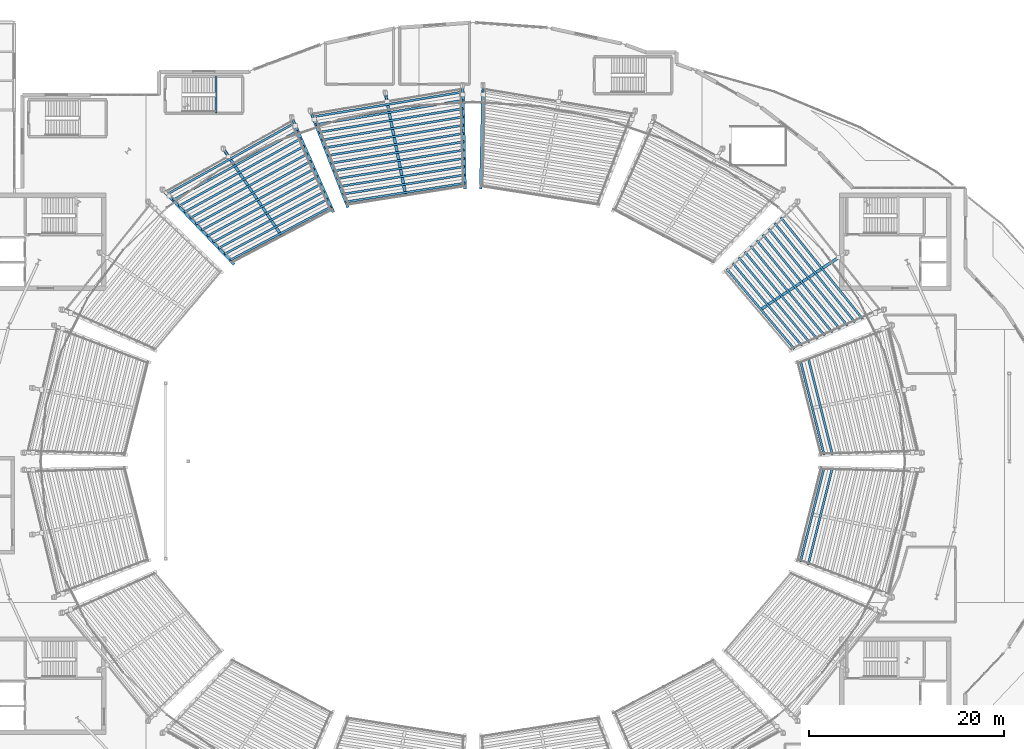
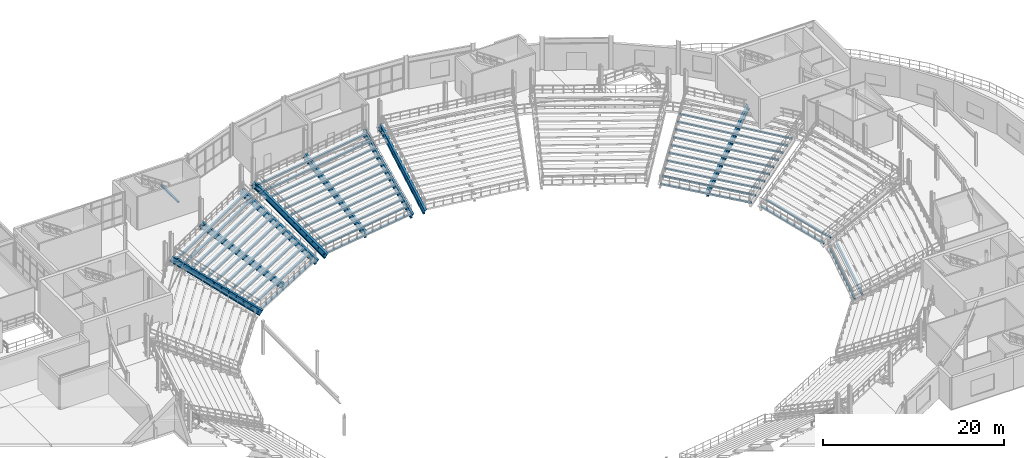
# One storey, part 36 of 81: 53 beams.
"""IFC4 building model written with IfcOpenShell, lengths in metres."""

import ifcopenshell
import ifcopenshell.guid

model = None  # the IFC model being written
_history = None  # IfcOwnerHistory: only IFC2X3 demands one
_inside = {}  # id of a spatial element -> (the spatial element, [elements in it])
_under = {}  # id of a project, library or spatial element -> (it, [spatial elements below it])
_declared = {}  # id of a project -> (the project, [libraries it declares])
_typed = {}  # id of a type object -> (the type object, [elements of that type])
_made_of = {}  # id of a material, layer set ... -> (it, [elements and type objects made of it])


def new_model(schema):
    """Start an empty IFC model of exactly this schema.

    Asked for "IFC4X3", IfcOpenShell would pick the latest addendum, in which some entities
    have other attributes; the version numbers below select the first issue.
    IFC2X3 requires an IfcOwnerHistory on every rooted entity: one is made here for all.
    """
    global model, _history
    if schema == "IFC4X3":
        model = ifcopenshell.file(schema_version=(4, 3, 0, 0))
    else:
        model = ifcopenshell.file(schema=schema)
    _inside.clear()
    _under.clear()
    _declared.clear()
    _typed.clear()
    _made_of.clear()
    _history = None
    if model.schema == "IFC2X3":
        org = make("IfcOrganization", Name="unknown")
        user = make(
            "IfcPersonAndOrganization",
            ThePerson=make("IfcPerson", FamilyName="unknown"),
            TheOrganization=org,
        )
        app = make(
            "IfcApplication",
            ApplicationDeveloper=org,
            Version="unknown",
            ApplicationFullName="unknown",
            ApplicationIdentifier="unknown",
        )
        _history = make(
            "IfcOwnerHistory",
            OwningUser=user,
            OwningApplication=app,
            ChangeAction="ADDED",
            CreationDate=0,
        )
    return model


def make(cls, **values):
    """One entity of the class cls with the attributes given. An attribute that is None is left unset."""
    return model.create_entity(
        cls, **{name: value for name, value in values.items() if value is not None}
    )


def rooted(cls, **values):
    """An entity with a GlobalId (a new one), such as an element, a storey or a relation."""
    return make(cls, GlobalId=ifcopenshell.guid.new(), OwnerHistory=_history, **values)


def si_unit(unit_type, name, prefix=None):
    """IfcSIUnit, for example si_unit("LENGTHUNIT", "METRE", prefix="MILLI")."""
    return make("IfcSIUnit", UnitType=unit_type, Prefix=prefix, Name=name)


def assignment(units):
    """IfcUnitAssignment: the units of a project."""
    return None if units is None else make("IfcUnitAssignment", Units=units)


def point(xyz):
    """IfcCartesianPoint."""
    return None if xyz is None else make("IfcCartesianPoint", Coordinates=xyz)


def direction(xyz):
    """IfcDirection."""
    return None if xyz is None else make("IfcDirection", DirectionRatios=xyz)


def frame(location, z_axis=None, x_axis=None):
    """IfcAxis2Placement3D, a coordinate frame: its origin and axes. An axis left out is left unset."""
    return make(
        "IfcAxis2Placement3D",
        Location=point(location),
        Axis=direction(z_axis),
        RefDirection=direction(x_axis),
    )


def frame_2d(location, x_axis=None):
    """IfcAxis2Placement2D, a coordinate frame in the plane: its origin and x axis."""
    return make(
        "IfcAxis2Placement2D", Location=point(location), RefDirection=direction(x_axis)
    )


def origin():
    """The frame at (0, 0, 0) with its axes left unset."""
    return frame((0.0, 0.0, 0.0))


def origin_2d():
    """The frame at (0, 0) in the plane with its x axis left unset."""
    return frame_2d((0.0, 0.0))


def place(relative_to, where):
    """IfcLocalPlacement: puts the frame where relative to a parent placement (None: the world)."""
    return make(
        "IfcLocalPlacement", PlacementRelTo=relative_to, RelativePlacement=where
    )


def context(
    kind, dimensions, precision=None, world=None, true_north=None, identifier=None
):
    """IfcGeometricRepresentationContext, for example the 3D "Model" context."""
    return make(
        "IfcGeometricRepresentationContext",
        ContextIdentifier=identifier,
        ContextType=kind,
        CoordinateSpaceDimension=dimensions,
        Precision=precision,
        WorldCoordinateSystem=world,
        TrueNorth=true_north,
    )


def subcontext(parent, identifier, kind, view, scale=None):
    """IfcGeometricRepresentationSubContext, for example "Body" below "Model"."""
    return make(
        "IfcGeometricRepresentationSubContext",
        ContextIdentifier=identifier,
        ContextType=kind,
        ParentContext=parent,
        TargetScale=scale,
        TargetView=view,
    )


def project(units=None, contexts=None):
    """IfcProject with its units and contexts."""
    return rooted(
        "IfcProject",
        Name="project",
        RepresentationContexts=contexts,
        UnitsInContext=assignment(units),
    )


def spatial(cls, under=None, at=None, **own):
    """A site, building, storey or space (cls), placed at a placement, below another one or the project."""
    s = rooted(cls, ObjectPlacement=at, **own)
    if under is not None:
        _under.setdefault(under.id(), (under, []))[1].append(s)
    return s


def profile(cls, at=None, kind="AREA", **sizes):
    """A parametric profile (cls). Its sizes go by their IFC names, for example OverallWidth=200.0."""
    return make(cls, ProfileType=kind, Position=at, **sizes)


def rectangle(**sizes):
    """IfcRectangleProfileDef."""
    return profile("IfcRectangleProfileDef", **sizes)


def hollow_rectangle(**sizes):
    """IfcRectangleHollowProfileDef."""
    return profile("IfcRectangleHollowProfileDef", **sizes)


def i_section(**sizes):
    """IfcIShapeProfileDef."""
    return profile("IfcIShapeProfileDef", **sizes)


def extrude(swept, where, along, depth):
    """IfcExtrudedAreaSolid: the profile swept, set in the frame where, extruded along a direction by depth."""
    return make(
        "IfcExtrudedAreaSolid",
        SweptArea=swept,
        Position=where,
        ExtrudedDirection=direction(along),
        Depth=depth,
    )


def shape(context_of_items, identifier, shape_type, items):
    """IfcShapeRepresentation: the items that make up one representation, for example the "Body"."""
    return make(
        "IfcShapeRepresentation",
        ContextOfItems=context_of_items,
        RepresentationIdentifier=identifier,
        RepresentationType=shape_type,
        Items=items,
    )


def material(Name=None, Category=None):
    """IfcMaterial."""
    return make("IfcMaterial", Name=Name, Category=Category)


def material_profile(
    of_material, cross_section, Name=None, Category=None, Priority=None
):
    """IfcMaterialProfile: a cross section and its material."""
    return make(
        "IfcMaterialProfile",
        Name=Name,
        Material=of_material,
        Profile=cross_section,
        Priority=Priority,
        Category=Category,
    )


def profile_set(profiles, Name=None, composite=None):
    """IfcMaterialProfileSet."""
    return make(
        "IfcMaterialProfileSet",
        Name=Name,
        MaterialProfiles=profiles,
        CompositeProfile=composite,
    )


def made_of(thing, what):
    """Note that an element or type object is made of a material, layer set ...; save() writes the relation."""
    if what is not None:
        _made_of.setdefault(what.id(), (what, []))[1].append(thing)
    return thing


def type_object(cls, material=None, **own):
    """A type object (cls), such as IfcWallType, which elements share."""
    return made_of(rooted(cls, **own), material)


def element(
    cls,
    number,
    at=None,
    inside=None,
    cuts=None,
    type_object=None,
    material=None,
    context=None,
    identifier="Body",
    shape_type=None,
    held_by="IfcProductDefinitionShape",
    body=None,
    shapes=None,
    **own,
):
    """One element of the class cls, such as IfcWall. Its Tag is "e" and its number.

    at: its placement. inside: the storey or other place that contains it. cuts: it is an
    opening in that element (IfcRelVoidsElement). A single representation is given by context,
    identifier, shape_type and body (its items); several are given by shapes. held_by: the class
    of the entity that holds the representations. save() writes the other relations.
    """
    e = rooted(cls, Tag="e%d" % number, ObjectPlacement=at, **own)
    if body is not None:
        shapes = [shape(context, identifier, shape_type, body)]
    if shapes is not None:
        e.Representation = make(held_by, Representations=shapes)
    if inside is not None:
        _inside.setdefault(inside.id(), (inside, []))[1].append(e)
    if cuts is not None:
        rooted(
            "IfcRelVoidsElement", RelatingBuildingElement=cuts, RelatedOpeningElement=e
        )
    if type_object is not None:
        _typed.setdefault(type_object.id(), (type_object, []))[1].append(e)
    return made_of(e, material)


def aggregate(whole, parts):
    """IfcRelAggregates: a whole, such as a stair, and the parts it consists of."""
    return rooted("IfcRelAggregates", RelatingObject=whole, RelatedObjects=parts)


def save(model, path):
    """Write the relations noted so far, then the file.

    IfcRelAggregates (storeys below a building ...), IfcRelContainedInSpatialStructure (elements
    in a storey), IfcRelDefinesByType, IfcRelAssociatesMaterial and IfcRelDeclares: one each for
    every whole, place, type object, material and project.
    """
    for whole, parts in _under.values():
        aggregate(whole, parts)
    for where, things in _inside.values():
        rooted(
            "IfcRelContainedInSpatialStructure",
            RelatedElements=things,
            RelatingStructure=where,
        )
    for kind, things in _typed.values():
        rooted("IfcRelDefinesByType", RelatedObjects=things, RelatingType=kind)
    for what, things in _made_of.values():
        rooted("IfcRelAssociatesMaterial", RelatedObjects=things, RelatingMaterial=what)
    for by, libraries in _declared.values():
        rooted("IfcRelDeclares", RelatingContext=by, RelatedDefinitions=libraries)
    model.write(path)


model = new_model("IFC4")

# Units and contexts
model_context = context("Model", 3, precision=1e-05, world=origin(), true_north=direction((0.0, 1.0)))
body_context = subcontext(model_context, "Body", "Model", "MODEL_VIEW")
ifc_project = project(units=[si_unit("LENGTHUNIT", "METRE"), si_unit("AREAUNIT", "SQUARE_METRE"), si_unit("VOLUMEUNIT", "CUBIC_METRE"), si_unit("PLANEANGLEUNIT", "RADIAN"), si_unit("MASSUNIT", "GRAM", prefix="KILO")], contexts=[model_context])

# Site, building, storey
site_placement = place(None, origin())
site = spatial("IfcSite", under=ifc_project, at=site_placement, CompositionType="ELEMENT")
building_placement = place(site_placement, origin())
building = spatial("IfcBuilding", under=site, at=building_placement, Name="Glasvene Arena", CompositionType="ELEMENT")
storey_placement = place(building_placement, frame((0.0, 0.0, 15.0)))
storey = spatial("IfcBuildingStorey", under=building, at=storey_placement, Name="L03", CompositionType="ELEMENT", Elevation=15.0)

# Beams
ifc_material_1 = material(Name="Steel S355J2", Category="steel")
ifc_material_profile_1 = material_profile(ifc_material_1, i_section(OverallWidth=0.228271484375, OverallDepth=0.607666015625, WebThickness=0.010986328125, FlangeThickness=0.017333984375, FilletRadius=0.0126953125, at=origin_2d()), Name="UKB 610x229x113")
ifc_profile_set_1 = profile_set([ifc_material_profile_1], Name="Steel S355J2")
beam_type_1 = type_object("IfcBeamType", Name="BM-GIRD-610", PredefinedType="BEAM", material=ifc_profile_set_1)
for number, where, z_axis, x_axis, name in (
    (1, (93.023193359375, 110.59033203125, 0.60498046875), (0.02273771586, 0.999741464718, 0.0), (-0.999741464718, 0.02273771586, 0.0), "Upper raker rear seat haunch girder RKS-04-3"),
    (2, (90.976806640625, 110.59033203125, 0.60498046875), (-0.02273771586, 0.999741464718, 0.0), (-0.999741464718, -0.02273771586, 0.0), "Upper raker rear seat haunch girder RKS-05-1"),
    (3, (83.201416015625, 109.87744140625, 0.544921875), (-0.195057426987, 0.980791823058, 0.0), (-0.980791823058, -0.195057426987, 0.0), "Upper raker rear seat haunch girder RKS-05-2"),
    (4, (75.69091796875, 108.055419921875, 0.60498046875), (-0.361672228488, 0.932305314337, 0.0), (-0.932305314337, -0.361672228488, 0.0), "Upper raker rear seat haunch girder RKS-05-3"),
    (5, (73.800048828125, 107.40234375, 0.60498046875), (-0.403516463423, 0.914972384144, 0.0), (-0.914972384144, -0.403516463423, 0.0), "Upper raker rear seat haunch girder RKS-06-1"),
    (6, (66.94384765625, 104.26318359375, 0.544921875), (-0.555528436112, 0.831497538584, 0.0), (-0.831497538584, -0.555528436112, 0.0), "Upper raker rear seat haunch girder RKS-06-2"),
):
    element("IfcBeam", number, at=place(storey_placement, frame(where, z_axis=z_axis, x_axis=x_axis)), inside=storey, type_object=beam_type_1, Name=name, PredefinedType="BEAM", context=body_context, shape_type="SweptSolid", body=[
        extrude(i_section(OverallWidth=0.228271484375, OverallDepth=0.607666015625, WebThickness=0.010986328125, FlangeThickness=0.017333984375, FilletRadius=0.0126953125, at=origin_2d()), origin(), (0.0, 0.0, 1.0), 1.02001953125),
    ])
ifc_material_profile_2 = material_profile(ifc_material_1, hollow_rectangle(XDim=0.199951171875, YDim=0.199951171875, WallThickness=0.010009765625, at=origin_2d()), Name="SHS 200x200x10.0")
ifc_profile_set_2 = profile_set([ifc_material_profile_2], Name="Steel S355J2")
beam_type_2 = type_object("IfcBeamType", Name="BM-LINTEL-200", PredefinedType="LINTEL", material=ifc_profile_set_2)
beam_1_placement = place(storey_placement, frame((65.679931640625, 108.679931640625, 1.929931640625), z_axis=(0.0, 1.0, 0.0), x_axis=(-1.0, 0.0, 0.0)))
element("IfcBeam", 7, at=beam_1_placement, inside=storey, type_object=beam_type_2, Name="Stair half-landing support beam ST-10-L03", PredefinedType="LINTEL", context=body_context, shape_type="SweptSolid", body=[
    extrude(hollow_rectangle(XDim=0.199951171875, YDim=0.199951171875, WallThickness=0.010009765625, at=origin_2d()), origin(), (0.0, 0.0, 1.0), 3.7900390625),
])
ifc_material_profile_3 = material_profile(ifc_material_1, i_section(OverallWidth=0.29248046875, OverallDepth=0.8408203125, WebThickness=0.0146484375, FlangeThickness=0.021728515625, FilletRadius=0.017822265625, at=origin_2d()), Name="UKB 838x292x194")
ifc_profile_set_3 = profile_set([ifc_material_profile_3], Name="Steel S355J2")
beam_type_3 = type_object("IfcBeamType", Name="Upper bowl raker", PredefinedType="USERDEFINED", material=ifc_profile_set_3)
beam_2_placement = place(storey_placement, frame((121.600341796875, 88.611572265625, -4.47998046875), z_axis=(0.737057012889, 0.492481189955, 0.462827437919), x_axis=(-0.555566675899, 0.831471989084, 0.0)))
element("IfcBeam", 8, at=beam_2_placement, inside=storey, type_object=beam_type_3, Name="Upper bowl cantilevered raker beam RKU-02-2", ObjectType="RAKER BEAM", PredefinedType="USERDEFINED", context=body_context, shape_type="SweptSolid", body=[
    extrude(i_section(OverallWidth=0.29248046875, OverallDepth=0.8408203125, WebThickness=0.0146484375, FlangeThickness=0.021728515625, FilletRadius=0.017822265625, at=origin_2d()), origin(), (0.0, 0.0, 1.0), 11.732177734375),
])
for number, where, z_axis, x_axis, name in (
    (9, (92.8076171875, 101.0927734375, -4.320068359375), (0.02020192295, 0.889699371943, 0.456099670986), (-0.999742307986, 0.022700608444, 0.0), "Upper bowl cantilevered raker beam RKU-04-3"),
    (10, (91.1923828125, 101.0927734375, -4.320068359375), (-0.02020192295, 0.889699371943, 0.456099670986), (-0.999742307986, -0.022700608444, 0.0), "Upper bowl cantilevered raker beam RKU-05-1"),
):
    element("IfcBeam", number, at=place(storey_placement, frame(where, z_axis=z_axis, x_axis=x_axis)), inside=storey, type_object=beam_type_3, Name=name, ObjectType="RAKER BEAM", PredefinedType="USERDEFINED", context=body_context, shape_type="SweptSolid", body=[
        extrude(i_section(OverallWidth=0.29248046875, OverallDepth=0.8408203125, WebThickness=0.0146484375, FlangeThickness=0.021728515625, FilletRadius=0.017822265625, at=origin_2d()), origin(), (0.0, 0.0, 1.0), 11.686279296875),
    ])
beam_3_placement = place(storey_placement, frame((85.0546875, 100.56005859375, -4.47998046875), z_axis=(-0.172926721503, 0.869419786331, 0.46282349133), x_axis=(-0.980787789908, -0.19507770546, 0.0)))
element("IfcBeam", 11, at=beam_3_placement, inside=storey, type_object=beam_type_3, Name="Upper bowl cantilevered raker beam RKU-05-2", ObjectType="RAKER BEAM", PredefinedType="USERDEFINED", context=body_context, shape_type="SweptSolid", body=[
    extrude(i_section(OverallWidth=0.29248046875, OverallDepth=0.8408203125, WebThickness=0.0146484375, FlangeThickness=0.021728515625, FilletRadius=0.017822265625, at=origin_2d()), origin(), (0.0, 0.0, 1.0), 11.732177734375),
])
beam_4_placement = place(storey_placement, frame((79.126220703125, 99.1982421875, -4.320068359375), z_axis=(-0.321824936055, 0.829704586846, 0.456091009669), x_axis=(-0.932322385811, -0.361628219192, 0.0)))
element("IfcBeam", 12, at=beam_4_placement, inside=storey, type_object=beam_type_3, Name="Upper bowl cantilevered raker beam RKU-05-3", ObjectType="RAKER BEAM", PredefinedType="USERDEFINED", context=body_context, shape_type="SweptSolid", body=[
    extrude(i_section(OverallWidth=0.29248046875, OverallDepth=0.8408203125, WebThickness=0.0146484375, FlangeThickness=0.021728515625, FilletRadius=0.017822265625, at=origin_2d()), origin(), (0.0, 0.0, 1.0), 11.6865234375),
])
beam_5_placement = place(storey_placement, frame((77.6337890625, 98.71044921875, -4.320068359375), z_axis=(-0.359125292214, 0.81424713578, 0.456103745179), x_axis=(-0.914959869018, -0.403544840242, 0.0)))
element("IfcBeam", 13, at=beam_5_placement, inside=storey, type_object=beam_type_3, Name="Upper bowl cantilevered raker beam RKU-06-1", ObjectType="RAKER BEAM", PredefinedType="USERDEFINED", context=body_context, shape_type="SweptSolid", body=[
    extrude(i_section(OverallWidth=0.29248046875, OverallDepth=0.8408203125, WebThickness=0.0146484375, FlangeThickness=0.021728515625, FilletRadius=0.017822265625, at=origin_2d()), origin(), (0.0, 0.0, 1.0), 11.68603515625),
])
beam_6_placement = place(storey_placement, frame((72.2216796875, 96.3642578125, -4.47998046875), z_axis=(-0.492473636396, 0.737066517415, 0.462820339182), x_axis=(-0.831479234628, -0.555555831923, 0.0)))
element("IfcBeam", 14, at=beam_6_placement, inside=storey, type_object=beam_type_3, Name="Upper bowl cantilevered raker beam RKU-06-2", ObjectType="RAKER BEAM", PredefinedType="USERDEFINED", context=body_context, shape_type="SweptSolid", body=[
    extrude(i_section(OverallWidth=0.29248046875, OverallDepth=0.8408203125, WebThickness=0.0146484375, FlangeThickness=0.021728515625, FilletRadius=0.017822265625, at=origin_2d()), origin(), (0.0, 0.0, 1.0), 11.732177734375),
])
beam_7_placement = place(storey_placement, frame((67.404541015625, 93.3154296875, -4.320068359375), z_axis=(-0.614833062929, 0.643391567755, 0.456100422354), x_axis=(-0.722970105975, -0.690879313532, 0.0)))
element("IfcBeam", 15, at=beam_7_placement, inside=storey, type_object=beam_type_3, Name="Upper bowl cantilevered raker beam RKU-06-3", ObjectType="RAKER BEAM", PredefinedType="USERDEFINED", context=body_context, shape_type="SweptSolid", body=[
    extrude(i_section(OverallWidth=0.29248046875, OverallDepth=0.8408203125, WebThickness=0.0146484375, FlangeThickness=0.021728515625, FilletRadius=0.017822265625, at=origin_2d()), origin(), (0.0, 0.0, 1.0), 11.686279296875),
])
ifc_material_2 = material(Name="Precast concrete C50/60", Category="concrete")
ifc_material_profile_4 = material_profile(ifc_material_2, rectangle(XDim=0.219970703125, YDim=0.219970703125, at=origin_2d()), Name="RC 220x220")
ifc_profile_set_4 = profile_set([ifc_material_profile_4], Name="Precast concrete C50/60")
beam_type_4 = type_object("IfcBeamType", Name="BM-TIER-BEARER", PredefinedType="BEAM", material=ifc_profile_set_4)
beam_8_placement = place(storey_placement, frame((128.0107421875, 73.64697265625, -4.215087890625), z_axis=(-0.243653597062, 0.969862322517, 0.0), x_axis=(-0.969862322517, -0.243653597062, 0.0)))
element("IfcBeam", 16, at=beam_8_placement, inside=storey, type_object=beam_type_4, Name="Upper tier precast row bearer 01-R01", PredefinedType="BEAM", context=body_context, shape_type="SweptSolid", body=[
    extrude(rectangle(XDim=0.219970703125, YDim=0.219970703125, at=origin_2d()), origin(), (0.0, 0.0, 1.0), 9.966796875),
])
beam_9_placement = place(storey_placement, frame((128.860595703125, 73.666259765625, -3.735107421875), z_axis=(-0.242278073389, 0.970206851736, 0.0), x_axis=(-0.970206851736, -0.242278073389, 0.0)))
element("IfcBeam", 17, at=beam_9_placement, inside=storey, type_object=beam_type_4, Name="Upper tier precast row bearer 01-R02", PredefinedType="BEAM", context=body_context, shape_type="SweptSolid", body=[
    extrude(rectangle(XDim=0.219970703125, YDim=0.219970703125, at=origin_2d()), origin(), (0.0, 0.0, 1.0), 10.26025390625),
])
beam_10_placement = place(storey_placement, frame((124.956787109375, 84.509033203125, -4.215087890625), z_axis=(-0.644922058275, 0.76424834887, 0.0), x_axis=(-0.76424834887, -0.644922058275, 0.0)))
element("IfcBeam", 18, at=beam_10_placement, inside=storey, type_object=beam_type_4, Name="Upper tier precast row bearer 02-R01", PredefinedType="BEAM", context=body_context, shape_type="SweptSolid", body=[
    extrude(rectangle(XDim=0.219970703125, YDim=0.219970703125, at=origin_2d()), origin(), (0.0, 0.0, 1.0), 10.72314453125),
])
beam_11_placement = place(storey_placement, frame((125.734619140625, 84.85205078125, -3.735107421875), z_axis=(-0.642655492956, 0.766155282807, 0.0), x_axis=(-0.766155282807, -0.642655492956, 0.0)))
element("IfcBeam", 19, at=beam_11_placement, inside=storey, type_object=beam_type_4, Name="Upper tier precast row bearer 02-R02", PredefinedType="BEAM", context=body_context, shape_type="SweptSolid", body=[
    extrude(rectangle(XDim=0.219970703125, YDim=0.219970703125, at=origin_2d()), origin(), (0.0, 0.0, 1.0), 11.014892578125),
])
beam_12_placement = place(storey_placement, frame((126.51220703125, 85.195068359375, -3.2548828125), z_axis=(-0.640488055668, 0.767968131205, 0.0), x_axis=(-0.767968131205, -0.640488055668, 0.0)))
element("IfcBeam", 20, at=beam_12_placement, inside=storey, type_object=beam_type_4, Name="Upper tier precast row bearer 02-R03", PredefinedType="BEAM", context=body_context, shape_type="SweptSolid", body=[
    extrude(rectangle(XDim=0.219970703125, YDim=0.219970703125, at=origin_2d()), origin(), (0.0, 0.0, 1.0), 11.306884765625),
])
beam_13_placement = place(storey_placement, frame((127.2900390625, 85.5380859375, -2.77490234375), z_axis=(-0.63842711998, 0.769682280213, 0.0), x_axis=(-0.769682280213, -0.63842711998, 0.0)))
element("IfcBeam", 21, at=beam_13_placement, inside=storey, type_object=beam_type_4, Name="Upper tier precast row bearer 02-R04", PredefinedType="BEAM", context=body_context, shape_type="SweptSolid", body=[
    extrude(rectangle(XDim=0.219970703125, YDim=0.219970703125, at=origin_2d()), origin(), (0.0, 0.0, 1.0), 11.599365234375),
])
beam_14_placement = place(storey_placement, frame((128.067626953125, 85.881103515625, -2.294921875), z_axis=(-0.636448921303, 0.771318851431, 0.0), x_axis=(-0.771318851431, -0.636448921303, 0.0)))
element("IfcBeam", 22, at=beam_14_placement, inside=storey, type_object=beam_type_4, Name="Upper tier precast row bearer 02-R05", PredefinedType="BEAM", context=body_context, shape_type="SweptSolid", body=[
    extrude(rectangle(XDim=0.219970703125, YDim=0.219970703125, at=origin_2d()), origin(), (0.0, 0.0, 1.0), 11.89111328125),
])
beam_15_placement = place(storey_placement, frame((128.845458984375, 86.22412109375, -1.81494140625), z_axis=(-0.634585572165, 0.772852606646, 0.0), x_axis=(-0.772852606646, -0.634585572165, 0.0)))
element("IfcBeam", 23, at=beam_15_placement, inside=storey, type_object=beam_type_4, Name="Upper tier precast row bearer 02-R06", PredefinedType="BEAM", context=body_context, shape_type="SweptSolid", body=[
    extrude(rectangle(XDim=0.219970703125, YDim=0.219970703125, at=origin_2d()), origin(), (0.0, 0.0, 1.0), 12.183349609375),
])
beam_16_placement = place(storey_placement, frame((129.623046875, 86.567138671875, -1.3349609375), z_axis=(-0.632784784283, 0.774327719238, 0.0), x_axis=(-0.774327719238, -0.632784784283, 0.0)))
element("IfcBeam", 24, at=beam_16_placement, inside=storey, type_object=beam_type_4, Name="Upper tier precast row bearer 02-R07", PredefinedType="BEAM", context=body_context, shape_type="SweptSolid", body=[
    extrude(rectangle(XDim=0.219970703125, YDim=0.219970703125, at=origin_2d()), origin(), (0.0, 0.0, 1.0), 12.475830078125),
])
beam_17_placement = place(storey_placement, frame((130.40087890625, 86.91015625, -0.85498046875), z_axis=(-0.631084152246, 0.775714375775, 0.0), x_axis=(-0.775714375775, -0.631084152246, 0.0)))
element("IfcBeam", 25, at=beam_17_placement, inside=storey, type_object=beam_type_4, Name="Upper tier precast row bearer 02-R08", PredefinedType="BEAM", context=body_context, shape_type="SweptSolid", body=[
    extrude(rectangle(XDim=0.219970703125, YDim=0.219970703125, at=origin_2d()), origin(), (0.0, 0.0, 1.0), 12.768310546875),
])
beam_18_placement = place(storey_placement, frame((131.1787109375, 87.253173828125, -0.375), z_axis=(-0.62944770131, 0.777042850373, 0.0), x_axis=(-0.777042850373, -0.62944770131, 0.0)))
element("IfcBeam", 26, at=beam_18_placement, inside=storey, type_object=beam_type_4, Name="Upper tier precast row bearer 02-R09", PredefinedType="BEAM", context=body_context, shape_type="SweptSolid", body=[
    extrude(rectangle(XDim=0.219970703125, YDim=0.219970703125, at=origin_2d()), origin(), (0.0, 0.0, 1.0), 13.06103515625),
])
beam_19_placement = place(storey_placement, frame((131.956298828125, 87.59619140625, 0.10498046875), z_axis=(-0.627878234413, 0.778311584618, 0.0), x_axis=(-0.778311584618, -0.627878234413, 0.0)))
element("IfcBeam", 27, at=beam_19_placement, inside=storey, type_object=beam_type_4, Name="Upper tier precast row bearer 02-R10", PredefinedType="BEAM", context=body_context, shape_type="SweptSolid", body=[
    extrude(rectangle(XDim=0.219970703125, YDim=0.219970703125, at=origin_2d()), origin(), (0.0, 0.0, 1.0), 13.353271484375),
])
beam_20_placement = place(storey_placement, frame((91.182861328125, 101.5126953125, -4.215087890625), z_axis=(-0.9878227954, -0.15558317675, 0.0), x_axis=(0.15558317675, -0.9878227954, 0.0)))
element("IfcBeam", 28, at=beam_20_placement, inside=storey, type_object=beam_type_4, Name="Upper tier precast row bearer 05-R01", PredefinedType="BEAM", context=body_context, shape_type="SweptSolid", body=[
    extrude(rectangle(XDim=0.219970703125, YDim=0.219970703125, at=origin_2d()), origin(), (0.0, 0.0, 1.0), 12.35888671875),
])
beam_21_placement = place(storey_placement, frame((91.16357421875, 102.3623046875, -3.735107421875), z_axis=(-0.987679591572, -0.156489694206, 0.0), x_axis=(0.156489694206, -0.987679591572, 0.0)))
element("IfcBeam", 29, at=beam_21_placement, inside=storey, type_object=beam_type_4, Name="Upper tier precast row bearer 05-R02", PredefinedType="BEAM", context=body_context, shape_type="SweptSolid", body=[
    extrude(rectangle(XDim=0.219970703125, YDim=0.219970703125, at=origin_2d()), origin(), (0.0, 0.0, 1.0), 12.65234375),
])
beam_22_placement = place(storey_placement, frame((91.144287109375, 103.212158203125, -3.2548828125), z_axis=(-0.987539173577, -0.157373379741, 0.0), x_axis=(0.157373379741, -0.987539173577, 0.0)))
element("IfcBeam", 30, at=beam_22_placement, inside=storey, type_object=beam_type_4, Name="Upper tier precast row bearer 05-R03", PredefinedType="BEAM", context=body_context, shape_type="SweptSolid", body=[
    extrude(rectangle(XDim=0.219970703125, YDim=0.219970703125, at=origin_2d()), origin(), (0.0, 0.0, 1.0), 12.946044921875),
])
beam_23_placement = place(storey_placement, frame((91.125, 104.06201171875, -2.77490234375), z_axis=(-0.98740470459, -0.158214883474, 0.0), x_axis=(0.158214883474, -0.98740470459, 0.0)))
element("IfcBeam", 31, at=beam_23_placement, inside=storey, type_object=beam_type_4, Name="Upper tier precast row bearer 05-R04", PredefinedType="BEAM", context=body_context, shape_type="SweptSolid", body=[
    extrude(rectangle(XDim=0.219970703125, YDim=0.219970703125, at=origin_2d()), origin(), (0.0, 0.0, 1.0), 13.23974609375),
])
beam_24_placement = place(storey_placement, frame((91.105712890625, 104.911865234375, -2.294921875), z_axis=(-0.987274490063, -0.159025410772, 0.0), x_axis=(0.159025410772, -0.987274490063, 0.0)))
element("IfcBeam", 32, at=beam_24_placement, inside=storey, type_object=beam_type_4, Name="Upper tier precast row bearer 05-R05", PredefinedType="BEAM", context=body_context, shape_type="SweptSolid", body=[
    extrude(rectangle(XDim=0.219970703125, YDim=0.219970703125, at=origin_2d()), origin(), (0.0, 0.0, 1.0), 13.532958984375),
])
beam_25_placement = place(storey_placement, frame((91.08642578125, 105.76171875, -1.81494140625), z_axis=(-0.987149627401, -0.159798664329, 0.0), x_axis=(0.159798664329, -0.987149627401, 0.0)))
element("IfcBeam", 33, at=beam_25_placement, inside=storey, type_object=beam_type_4, Name="Upper tier precast row bearer 05-R06", PredefinedType="BEAM", context=body_context, shape_type="SweptSolid", body=[
    extrude(rectangle(XDim=0.219970703125, YDim=0.219970703125, at=origin_2d()), origin(), (0.0, 0.0, 1.0), 13.82666015625),
])
beam_26_placement = place(storey_placement, frame((91.067138671875, 106.611328125, -1.3349609375), z_axis=(-0.987032573185, -0.160520090554, 0.0), x_axis=(0.160520090554, -0.987032573185, 0.0)))
element("IfcBeam", 34, at=beam_26_placement, inside=storey, type_object=beam_type_4, Name="Upper tier precast row bearer 05-R07", PredefinedType="BEAM", context=body_context, shape_type="SweptSolid", body=[
    extrude(rectangle(XDim=0.219970703125, YDim=0.219970703125, at=origin_2d()), origin(), (0.0, 0.0, 1.0), 14.120361328125),
])
beam_27_placement = place(storey_placement, frame((91.0478515625, 107.461181640625, -0.85498046875), z_axis=(-0.986916659435, -0.161231223182, 0.0), x_axis=(0.161231223182, -0.986916659435, 0.0)))
element("IfcBeam", 35, at=beam_27_placement, inside=storey, type_object=beam_type_4, Name="Upper tier precast row bearer 05-R08", PredefinedType="BEAM", context=body_context, shape_type="SweptSolid", body=[
    extrude(rectangle(XDim=0.219970703125, YDim=0.219970703125, at=origin_2d()), origin(), (0.0, 0.0, 1.0), 14.413818359375),
])
beam_28_placement = place(storey_placement, frame((91.028564453125, 108.310791015625, -0.375), z_axis=(-0.986807543106, -0.161897723483, 0.0), x_axis=(0.161897723483, -0.986807543106, 0.0)))
element("IfcBeam", 36, at=beam_28_placement, inside=storey, type_object=beam_type_4, Name="Upper tier precast row bearer 05-R09", PredefinedType="BEAM", context=body_context, shape_type="SweptSolid", body=[
    extrude(rectangle(XDim=0.219970703125, YDim=0.219970703125, at=origin_2d()), origin(), (0.0, 0.0, 1.0), 14.70751953125),
])
beam_29_placement = place(storey_placement, frame((91.00927734375, 109.16064453125, 0.10498046875), z_axis=(-0.986699232746, -0.162556525858, 0.0), x_axis=(0.162556525858, -0.986699232746, 0.0)))
element("IfcBeam", 37, at=beam_29_placement, inside=storey, type_object=beam_type_4, Name="Upper tier precast row bearer 05-R10", PredefinedType="BEAM", context=body_context, shape_type="SweptSolid", body=[
    extrude(rectangle(XDim=0.219970703125, YDim=0.219970703125, at=origin_2d()), origin(), (0.0, 0.0, 1.0), 15.000732421875),
])
beam_30_placement = place(storey_placement, frame((90.989990234375, 110.010498046875, 0.5849609375), z_axis=(-0.986595512486, -0.163184848385, 0.0), x_axis=(0.163184848385, -0.986595512486, 0.0)))
element("IfcBeam", 38, at=beam_30_placement, inside=storey, type_object=beam_type_4, Name="Upper tier precast row bearer 05-R11", PredefinedType="BEAM", context=body_context, shape_type="SweptSolid", body=[
    extrude(rectangle(XDim=0.219970703125, YDim=0.219970703125, at=origin_2d()), origin(), (0.0, 0.0, 1.0), 15.294677734375),
])
beam_31_placement = place(storey_placement, frame((90.970703125, 110.8603515625, 1.06494140625), z_axis=(-0.98649490435, -0.163791952462, 0.0), x_axis=(0.163791952462, -0.98649490435, 0.0)))
element("IfcBeam", 39, at=beam_31_placement, inside=storey, type_object=beam_type_4, Name="Upper tier precast row bearer 05-R12", PredefinedType="BEAM", context=body_context, shape_type="SweptSolid", body=[
    extrude(rectangle(XDim=0.219970703125, YDim=0.219970703125, at=origin_2d()), origin(), (0.0, 0.0, 1.0), 15.588134765625),
])
beam_32_placement = place(storey_placement, frame((77.46435546875, 99.094482421875, -4.215087890625), z_axis=(-0.883920254226, -0.467637663335, 0.0), x_axis=(0.467637663335, -0.883920254226, 0.0)))
element("IfcBeam", 40, at=beam_32_placement, inside=storey, type_object=beam_type_4, Name="Upper tier precast row bearer 06-R01", PredefinedType="BEAM", context=body_context, shape_type="SweptSolid", body=[
    extrude(rectangle(XDim=0.219970703125, YDim=0.219970703125, at=origin_2d()), origin(), (0.0, 0.0, 1.0), 11.708984375),
])
beam_33_placement = place(storey_placement, frame((77.121337890625, 99.872314453125, -3.735107421875), z_axis=(-0.882745126061, -0.469852149528, 0.0), x_axis=(0.469852149528, -0.882745126061, 0.0)))
element("IfcBeam", 41, at=beam_33_placement, inside=storey, type_object=beam_type_4, Name="Upper tier precast row bearer 06-R02", PredefinedType="BEAM", context=body_context, shape_type="SweptSolid", body=[
    extrude(rectangle(XDim=0.219970703125, YDim=0.219970703125, at=origin_2d()), origin(), (0.0, 0.0, 1.0), 12.00146484375),
])
beam_34_placement = place(storey_placement, frame((76.7783203125, 100.650146484375, -3.2548828125), z_axis=(-0.881624591042, -0.471951353924, 0.0), x_axis=(0.471951353924, -0.881624591042, 0.0)))
element("IfcBeam", 42, at=beam_34_placement, inside=storey, type_object=beam_type_4, Name="Upper tier precast row bearer 06-R03", PredefinedType="BEAM", context=body_context, shape_type="SweptSolid", body=[
    extrude(rectangle(XDim=0.219970703125, YDim=0.219970703125, at=origin_2d()), origin(), (0.0, 0.0, 1.0), 12.293701171875),
])
beam_35_placement = place(storey_placement, frame((76.435302734375, 101.427734375, -2.77490234375), z_axis=(-0.880551437583, -0.47395059423, 0.0), x_axis=(0.47395059423, -0.880551437583, 0.0)))
element("IfcBeam", 43, at=beam_35_placement, inside=storey, type_object=beam_type_4, Name="Upper tier precast row bearer 06-R04", PredefinedType="BEAM", context=body_context, shape_type="SweptSolid", body=[
    extrude(rectangle(XDim=0.219970703125, YDim=0.219970703125, at=origin_2d()), origin(), (0.0, 0.0, 1.0), 12.5859375),
])
beam_36_placement = place(storey_placement, frame((76.09228515625, 102.20556640625, -2.294921875), z_axis=(-0.879519123786, -0.475863542306, 0.0), x_axis=(0.475863542306, -0.879519123786, 0.0)))
element("IfcBeam", 44, at=beam_36_placement, inside=storey, type_object=beam_type_4, Name="Upper tier precast row bearer 06-R05", PredefinedType="BEAM", context=body_context, shape_type="SweptSolid", body=[
    extrude(rectangle(XDim=0.219970703125, YDim=0.219970703125, at=origin_2d()), origin(), (0.0, 0.0, 1.0), 12.87841796875),
])
beam_37_placement = place(storey_placement, frame((75.749267578125, 102.983154296875, -1.81494140625), z_axis=(-0.878532352261, -0.477682850886, 0.0), x_axis=(0.477682850886, -0.878532352261, 0.0)))
element("IfcBeam", 45, at=beam_37_placement, inside=storey, type_object=beam_type_4, Name="Upper tier precast row bearer 06-R06", PredefinedType="BEAM", context=body_context, shape_type="SweptSolid", body=[
    extrude(rectangle(XDim=0.219970703125, YDim=0.219970703125, at=origin_2d()), origin(), (0.0, 0.0, 1.0), 13.1708984375),
])
beam_38_placement = place(storey_placement, frame((75.40625, 103.760986328125, -1.3349609375), z_axis=(-0.877581457911, -0.47942755942, 0.0), x_axis=(0.47942755942, -0.877581457911, 0.0)))
element("IfcBeam", 46, at=beam_38_placement, inside=storey, type_object=beam_type_4, Name="Upper tier precast row bearer 06-R07", PredefinedType="BEAM", context=body_context, shape_type="SweptSolid", body=[
    extrude(rectangle(XDim=0.219970703125, YDim=0.219970703125, at=origin_2d()), origin(), (0.0, 0.0, 1.0), 13.463623046875),
])
beam_39_placement = place(storey_placement, frame((75.063232421875, 104.538818359375, -0.85498046875), z_axis=(-0.87666368391, -0.481103715755, 0.0), x_axis=(0.481103715755, -0.87666368391, 0.0)))
element("IfcBeam", 47, at=beam_39_placement, inside=storey, type_object=beam_type_4, Name="Upper tier precast row bearer 06-R08", PredefinedType="BEAM", context=body_context, shape_type="SweptSolid", body=[
    extrude(rectangle(XDim=0.219970703125, YDim=0.219970703125, at=origin_2d()), origin(), (0.0, 0.0, 1.0), 13.756103515625),
])
beam_40_placement = place(storey_placement, frame((74.72021484375, 105.31640625, -0.375), z_axis=(-0.87578848276, -0.482695072965, 0.0), x_axis=(0.482695072965, -0.87578848276, 0.0)))
element("IfcBeam", 48, at=beam_40_placement, inside=storey, type_object=beam_type_4, Name="Upper tier precast row bearer 06-R09", PredefinedType="BEAM", context=body_context, shape_type="SweptSolid", body=[
    extrude(rectangle(XDim=0.219970703125, YDim=0.219970703125, at=origin_2d()), origin(), (0.0, 0.0, 1.0), 14.048828125),
])
beam_41_placement = place(storey_placement, frame((74.377197265625, 106.093994140625, 0.10498046875), z_axis=(-0.874950263703, -0.484212800373, 0.0), x_axis=(0.484212800373, -0.874950263703, 0.0)))
element("IfcBeam", 49, at=beam_41_placement, inside=storey, type_object=beam_type_4, Name="Upper tier precast row bearer 06-R10", PredefinedType="BEAM", context=body_context, shape_type="SweptSolid", body=[
    extrude(rectangle(XDim=0.219970703125, YDim=0.219970703125, at=origin_2d()), origin(), (0.0, 0.0, 1.0), 14.341552734375),
])
beam_42_placement = place(storey_placement, frame((74.0341796875, 106.871826171875, 0.5849609375), z_axis=(-0.874132093263, -0.485688257556, 0.0), x_axis=(0.485688257556, -0.874132093263, 0.0)))
element("IfcBeam", 50, at=beam_42_placement, inside=storey, type_object=beam_type_4, Name="Upper tier precast row bearer 06-R11", PredefinedType="BEAM", context=body_context, shape_type="SweptSolid", body=[
    extrude(rectangle(XDim=0.219970703125, YDim=0.219970703125, at=origin_2d()), origin(), (0.0, 0.0, 1.0), 14.63427734375),
])
beam_43_placement = place(storey_placement, frame((73.691162109375, 107.6494140625, 1.06494140625), z_axis=(-0.873357585643, -0.487079590622, 0.0), x_axis=(0.487079590622, -0.873357585643, 0.0)))
element("IfcBeam", 51, at=beam_43_placement, inside=storey, type_object=beam_type_4, Name="Upper tier precast row bearer 06-R12", PredefinedType="BEAM", context=body_context, shape_type="SweptSolid", body=[
    extrude(rectangle(XDim=0.219970703125, YDim=0.219970703125, at=origin_2d()), origin(), (0.0, 0.0, 1.0), 14.9267578125),
])
beam_44_placement = place(storey_placement, frame((125.582275390625, 62.6865234375, -4.215087890625), z_axis=(0.243653597062, 0.969862322517, 0.0), x_axis=(-0.969862322517, 0.243653597062, 0.0)))
element("IfcBeam", 52, at=beam_44_placement, inside=storey, type_object=beam_type_4, Name="Upper tier precast row bearer 16-R01", PredefinedType="BEAM", context=body_context, shape_type="SweptSolid", body=[
    extrude(rectangle(XDim=0.219970703125, YDim=0.219970703125, at=origin_2d()), origin(), (0.0, 0.0, 1.0), 9.966796875),
])
beam_45_placement = place(storey_placement, frame((126.374755859375, 62.379150390625, -3.735107421875), z_axis=(0.242278073389, 0.970206851736, 0.0), x_axis=(-0.970206851736, 0.242278073389, 0.0)))
element("IfcBeam", 53, at=beam_45_placement, inside=storey, type_object=beam_type_4, Name="Upper tier precast row bearer 16-R02", PredefinedType="BEAM", context=body_context, shape_type="SweptSolid", body=[
    extrude(rectangle(XDim=0.219970703125, YDim=0.219970703125, at=origin_2d()), origin(), (0.0, 0.0, 1.0), 10.26025390625),
])

save(model, "model.ifc")
